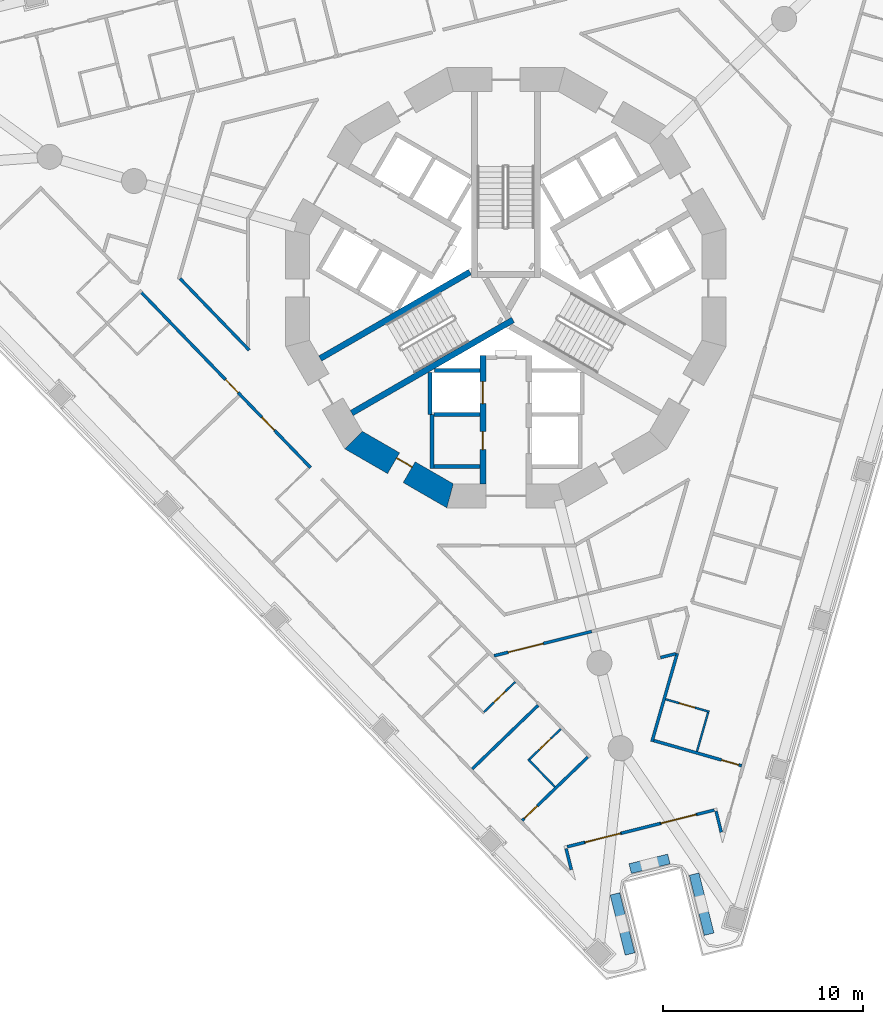
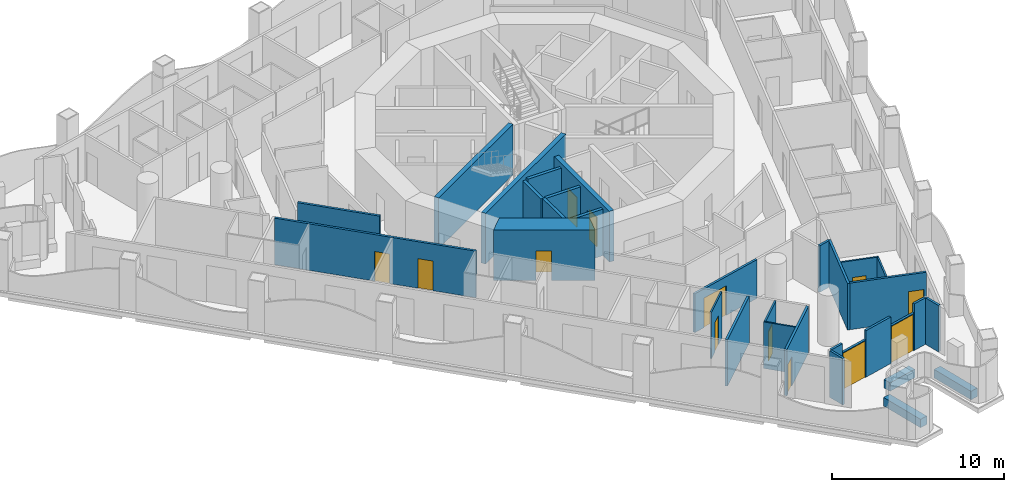
# One storey, part 3 of 18: 32 walls, 13 doors, 13 openings.
"""IFC4 building model written with IfcOpenShell, lengths in metres."""

from ifc_helpers import new_model, si_unit, direction, frame, frame_2d, origin, place, context, subcontext, project, spatial, polyline, rectangle, outline, extrude, material, layer, layer_set, type_object, element, fill, save


model = new_model("IFC4")

# Units and contexts
model_context = context("Model", 3, precision=1e-05, world=origin(), true_north=direction((0.0, 1.0)))
body_context = subcontext(model_context, "Body", "Model", "MODEL_VIEW")
ifc_project = project(units=[si_unit("LENGTHUNIT", "METRE"), si_unit("AREAUNIT", "SQUARE_METRE"), si_unit("VOLUMEUNIT", "CUBIC_METRE"), si_unit("PLANEANGLEUNIT", "RADIAN"), si_unit("MASSUNIT", "GRAM", prefix="KILO")], contexts=[model_context])

# Site, building, storey
site_placement = place(None, origin())
site = spatial("IfcSite", under=ifc_project, at=site_placement, CompositionType="ELEMENT")
building_placement = place(site_placement, origin())
building = spatial("IfcBuilding", under=site, at=building_placement, Name="Trine Commons Tower", CompositionType="ELEMENT")
storey_placement = place(building_placement, frame((0.0, 0.0, 90.89990234375)))
storey = spatial("IfcBuildingStorey", under=building, at=storey_placement, Name="L22", CompositionType="ELEMENT", Elevation=90.89990234375)

# Walls
ifc_material_1 = material(Name="Aluminium-framed insulated wall panel", Category="aluminium")
ifc_layer_1 = layer(ifc_material_1, 0.14990234375)
ifc_layer_set_1 = layer_set([ifc_layer_1], Name="Aluminium-framed insulated wall panel")
wall_type_1 = type_object("IfcWallType", Name="Glazed frame wall 150, EI 60", PredefinedType="SOLIDWALL", material=ifc_layer_set_1)
wall_1_placement = place(storey_placement, frame((90.810302734375, 35.118896484375, 0.0), z_axis=(0.0, 0.0, 1.0), x_axis=(-0.241937701072, 0.970291785393, 0.0)))
element("IfcWall", 1, at=wall_1_placement, inside=storey, type_object=wall_type_1, Name="Glazed frame wall R9", PredefinedType="SOLIDWALL", context=body_context, shape_type="SweptSolid", body=[
    extrude(outline(polyline([(0.1494140625, 0.074951171875), (0.1494140625, -0.074951171875), (1.235107421875, -0.074951171875), (1.235107421875, 0.074951171875), (0.1494140625, 0.074951171875)])), origin(), (0.0, 0.0, 1.0), 3.300048828125),
])
wall_2_placement = place(storey_placement, frame((90.527099609375, 36.398681640625, 0.0), z_axis=(0.0, 0.0, 1.0), x_axis=(-0.970285952705, -0.24196109188, 0.0)))
element("IfcWall", 2, at=wall_2_placement, inside=storey, type_object=wall_type_1, Name="Glazed frame wall P3.1", PredefinedType="SOLIDWALL", context=body_context, shape_type="SweptSolid", body=[
    extrude(outline(polyline([(0.110107421875, -0.074951171875), (1.0, -0.074951171875), (1.0, 0.074951171875), (0.110107421875, 0.074951171875), (0.110107421875, -0.074951171875)])), origin(), (0.0, 0.0, 1.0), 3.300048828125),
])

# Wall, opening, door
wall_3_placement = place(storey_placement, frame((89.556884765625, 36.15673828125, 0.0), z_axis=(0.0, 0.0, 1.0), x_axis=(-0.970285945114, -0.241961122321, 0.0)))
wall_3 = element("IfcWall", 3, at=wall_3_placement, inside=storey, type_object=wall_type_1, Name="Glazed frame wall P3.2", PredefinedType="SOLIDWALL", context=body_context, shape_type="SweptSolid", body=[
    extrude(outline(polyline([(0.0, -0.074951171875), (1.89990234375, -0.074951171875), (1.89990234375, 0.074951171875), (0.0, 0.074951171875), (0.0, -0.074951171875)])), origin(), (0.0, 0.0, 1.0), 2.650146484375),
])
opening_1_placement = place(wall_3_placement, frame((0.050048828125, 0.0, 0.0)))
opening_1 = element("IfcOpeningElement", 4, at=opening_1_placement, cuts=wall_3, Name="Opening BD-3P3-01", PredefinedType="OPENING", context=body_context, shape_type="SweptSolid", body=[
    extrude(rectangle(XDim=1.800048828125, YDim=2.60009765625, at=frame_2d((0.89990234375, 1.300048828125))), frame((0.0, 0.0849609375, 0.0), z_axis=(0.0, -1.0, 0.0), x_axis=(1.0, 0.0, 0.0)), (0.0, 0.0, 1.0), 0.169921875),
])
ifc_material_2 = material(Name="Anodised aluminium frame with double glazing", Category="aluminium")
door_type_1 = type_object("IfcDoorType", Name="Sliding loggia door 1800x2600", OperationType="SLIDING_TO_LEFT", PredefinedType="DOOR", material=ifc_material_2)
door_1_placement = place(opening_1_placement, origin())
door_1 = element("IfcDoor", 5, at=door_1_placement, inside=storey, type_object=door_type_1, Name="Loggia door P3 1", OperationType="SLIDING_TO_LEFT", OverallHeight=2.60009765625, OverallWidth=1.800048828125, PredefinedType="DOOR", context=body_context, shape_type="SweptSolid", body=[
    extrude(rectangle(XDim=1.800048828125, YDim=2.60009765625, at=frame_2d((0.89990234375, 1.300048828125))), frame((0.0, 0.02490234375, 0.0), z_axis=(0.0, -1.0, 0.0), x_axis=(1.0, 0.0, 0.0)), (0.0, 0.0, 1.0), 0.050048828125),
])
fill(opening_1, door_1)

# Wall
wall_4_placement = place(storey_placement, frame((87.71337890625, 35.697021484375, 0.0), z_axis=(0.0, 0.0, 1.0), x_axis=(-0.970293098586, -0.241932434444, 0.0)))
element("IfcWall", 6, at=wall_4_placement, inside=storey, type_object=wall_type_1, Name="Glazed frame wall P3.3", PredefinedType="SOLIDWALL", context=body_context, shape_type="SweptSolid", body=[
    extrude(outline(polyline([(0.0, -0.074951171875), (2.0, -0.074951171875), (2.0, 0.074951171875), (0.0, 0.074951171875), (0.0, -0.074951171875)])), origin(), (0.0, 0.0, 1.0), 3.300048828125),
])

# Wall, opening, door
wall_5_placement = place(storey_placement, frame((85.772705078125, 35.213134765625, 0.0), z_axis=(0.0, 0.0, 1.0), x_axis=(-0.970285945114, -0.241961122321, 0.0)))
wall_5 = element("IfcWall", 7, at=wall_5_placement, inside=storey, type_object=wall_type_1, Name="Glazed frame wall P3.4", PredefinedType="SOLIDWALL", context=body_context, shape_type="SweptSolid", body=[
    extrude(outline(polyline([(0.0, -0.074951171875), (1.89990234375, -0.074951171875), (1.89990234375, 0.074951171875), (0.0, 0.074951171875), (0.0, -0.074951171875)])), origin(), (0.0, 0.0, 1.0), 2.650146484375),
])
opening_2_placement = place(wall_5_placement, frame((0.050048828125, 0.0, 0.0)))
opening_2 = element("IfcOpeningElement", 8, at=opening_2_placement, cuts=wall_5, Name="Opening BD-3P3-02", PredefinedType="OPENING", context=body_context, shape_type="SweptSolid", body=[
    extrude(rectangle(XDim=1.800048828125, YDim=2.60009765625, at=frame_2d((0.89990234375, 1.300048828125))), frame((0.0, 0.0849609375, 0.0), z_axis=(0.0, -1.0, 0.0), x_axis=(1.0, 0.0, 0.0)), (0.0, 0.0, 1.0), 0.169921875),
])
door_2_placement = place(opening_2_placement, origin())
door_2 = element("IfcDoor", 9, at=door_2_placement, inside=storey, type_object=door_type_1, Name="Loggia door P3 2", OperationType="SLIDING_TO_LEFT", OverallHeight=2.60009765625, OverallWidth=1.800048828125, PredefinedType="DOOR", context=body_context, shape_type="SweptSolid", body=[
    extrude(rectangle(XDim=1.800048828125, YDim=2.60009765625, at=frame_2d((0.89990234375, 1.300048828125))), frame((0.0, 0.02490234375, 0.0), z_axis=(0.0, -1.0, 0.0), x_axis=(1.0, 0.0, 0.0)), (0.0, 0.0, 1.0), 0.050048828125),
])
fill(opening_2, door_2)

# Walls
wall_6_placement = place(storey_placement, frame((83.92919921875, 34.75341796875, 0.0), z_axis=(0.0, 0.0, 1.0), x_axis=(-0.970343250308, -0.241731207299, 0.0)))
element("IfcWall", 10, at=wall_6_placement, inside=storey, type_object=wall_type_1, Name="Glazed frame wall P3.5", PredefinedType="SOLIDWALL", context=body_context, shape_type="SweptSolid", body=[
    extrude(outline(polyline([(0.889892578125, 0.074951171875), (0.0, 0.074951171875), (0.0, -0.074951171875), (0.889892578125, -0.074951171875), (0.889892578125, 0.074951171875)])), origin(), (0.0, 0.0, 1.0), 3.300048828125),
])
wall_7_placement = place(storey_placement, frame((82.984375, 34.553955078125, 0.0), z_axis=(0.0, 0.0, 1.0), x_axis=(0.241980315181, -0.970281158771, 0.0)))
element("IfcWall", 11, at=wall_7_placement, inside=storey, type_object=wall_type_1, Name="Glazed frame wall R11", PredefinedType="SOLIDWALL", context=body_context, shape_type="SweptSolid", body=[
    extrude(outline(polyline([(0.110107421875, 0.074951171875), (0.110107421875, -0.074951171875), (1.19580078125, -0.074951171875), (1.19580078125, 0.074951171875), (0.110107421875, 0.074951171875)])), origin(), (0.0, 0.0, 1.0), 3.300048828125),
])
ifc_material_3 = material(Name="Planter trough, precast concrete C40/50", Category="concrete")
ifc_layer_2 = layer(ifc_material_3, 0.5)
ifc_layer_set_2 = layer_set([ifc_layer_2], Name="Planter trough, precast concrete C40/50")
wall_type_2 = type_object("IfcWallType", Name="Planter trough 500x600", PredefinedType="PARAPET", material=ifc_layer_set_2)
wall_8_placement = place(storey_placement, frame((90.16552734375, 30.160888671875, 0.0), z_axis=(0.0, 0.0, 1.0), x_axis=(-0.2419425832, 0.970290568044, 0.0)))
element("IfcWall", 12, at=wall_8_placement, inside=storey, type_object=wall_type_2, Name="Planter 7", PredefinedType="PARAPET", context=body_context, shape_type="SweptSolid", body=[
    extrude(rectangle(XDim=3.099853515625, YDim=0.5, at=frame_2d((1.5498046875, 0.0))), origin(), (0.0, 0.0, 1.0), 0.60009765625),
])
wall_9_placement = place(storey_placement, frame((88.15478515625, 33.92626953125, 0.0), z_axis=(0.0, 0.0, 1.0), x_axis=(-0.970285952705, -0.24196109188, 0.0)))
element("IfcWall", 13, at=wall_9_placement, inside=storey, type_object=wall_type_2, Name="Planter 8", PredefinedType="PARAPET", context=body_context, shape_type="SweptSolid", body=[
    extrude(rectangle(XDim=1.999755859375, YDim=0.5, at=frame_2d((1.0, 0.0))), origin(), (0.0, 0.0, 1.0), 0.60009765625),
])
wall_10_placement = place(storey_placement, frame((85.456787109375, 32.181640625, 0.0), z_axis=(0.0, 0.0, 1.0), x_axis=(0.2419425832, -0.970290568044, 0.0)))
element("IfcWall", 14, at=wall_10_placement, inside=storey, type_object=wall_type_2, Name="Planter 9", PredefinedType="PARAPET", context=body_context, shape_type="SweptSolid", body=[
    extrude(rectangle(XDim=3.099853515625, YDim=0.5, at=frame_2d((1.5498046875, 0.0))), origin(), (0.0, 0.0, 1.0), 0.60009765625),
])

# Wall, opening, door
ifc_material_4 = material(Name="Concrete C70/85", Category="concrete")
ifc_layer_3 = layer(ifc_material_4, 1.199951171875)
ifc_layer_set_3 = layer_set([ifc_layer_3], Name="Concrete C70/85")
wall_type_3 = type_object("IfcWallType", Name="RC shear wall 1200 mm, C70/85", PredefinedType="SHEAR", material=ifc_layer_set_3)
wall_11_placement = place(storey_placement, frame((72.239013671875, 54.95849609375, 0.0), z_axis=(0.0, 0.0, 1.0), x_axis=(0.866037463336, -0.499979111662, 0.0)))
wall_11 = element("IfcWall", 15, at=wall_11_placement, inside=storey, type_object=wall_type_3, Name="Core wall CWC-09 L22", PredefinedType="SHEAR", context=body_context, shape_type="SweptSolid", body=[
    extrude(outline(polyline([(0.0, -0.60009765625), (5.901123046875, -0.60009765625), (5.57958984375, 0.60009765625), (0.321533203125, 0.60009765625), (0.0, -0.60009765625)])), origin(), (0.0, 0.0, 1.0), 3.60009765625),
])
opening_3_placement = place(wall_11_placement, frame((2.4765625, 0.0, 0.0)))
opening_3 = element("IfcOpeningElement", 16, at=opening_3_placement, cuts=wall_11, Name="Opening K05.14", PredefinedType="OPENING", context=body_context, shape_type="SweptSolid", body=[
    extrude(rectangle(XDim=0.89990234375, YDim=2.10009765625, at=frame_2d((0.449951171875, 1.050048828125))), frame((0.0, 0.60986328125, 0.0), z_axis=(0.0, -1.0, 0.0), x_axis=(1.0, 0.0, 0.0)), (0.0, 0.0, 1.0), 1.219970703125),
])
ifc_material_5 = material(Name="Steel door leaf, fire-rated", Category="steel")
door_type_2 = type_object("IfcDoorType", Name="Core room door, single leaf 900 x 2100, FD30S", OperationType="SINGLE_SWING_LEFT", PredefinedType="DOOR", material=ifc_material_5)
door_3_placement = place(opening_3_placement, origin())
door_3 = element("IfcDoor", 17, at=door_3_placement, inside=storey, type_object=door_type_2, Name="Door to Parcel store L22", OperationType="SINGLE_SWING_LEFT", OverallHeight=2.10009765625, OverallWidth=0.89990234375, PredefinedType="DOOR", context=body_context, shape_type="SweptSolid", body=[
    extrude(rectangle(XDim=0.89990234375, YDim=2.10009765625, at=frame_2d((0.449951171875, 1.050048828125))), frame((0.0, 0.3251953125, 0.0), z_axis=(0.0, -1.0, 0.0), x_axis=(1.0, 0.0, 0.0)), (0.0, 0.0, 1.0), 0.050048828125),
])
fill(opening_3, door_3)

# Wall, openings, doors
ifc_layer_4 = layer(ifc_material_4, 0.300048828125)
ifc_layer_set_4 = layer_set([ifc_layer_4], Name="Concrete C70/85")
wall_type_4 = type_object("IfcWallType", Name="RC shear wall 300 mm, C70/85", PredefinedType="SHEAR", material=ifc_layer_set_4)
wall_12_placement = place(storey_placement, frame((78.85009765625, 59.10009765625, 0.0), z_axis=(0.0, 0.0, 1.0), x_axis=(0.0, -1.0, 0.0)))
wall_12 = element("IfcWall", 18, at=wall_12_placement, inside=storey, type_object=wall_type_4, Name="Core cross wall SWA-03 L22", PredefinedType="SHEAR", context=body_context, shape_type="SweptSolid", body=[
    extrude(rectangle(XDim=6.412109375, YDim=0.300048828125, at=frame_2d((3.2060546875, 0.0))), origin(), (0.0, 0.0, 1.0), 3.60009765625),
])
opening_4_placement = place(wall_12_placement, frame((3.800048828125, 0.0, 0.0)))
opening_4 = element("IfcOpeningElement", 19, at=opening_4_placement, cuts=wall_12, Name="Opening K05.10", PredefinedType="OPENING", context=body_context, shape_type="SweptSolid", body=[
    extrude(rectangle(XDim=0.89990234375, YDim=2.10009765625, at=frame_2d((0.449951171875, 1.050048828125))), frame((0.0, 0.159912109375, 0.0), z_axis=(0.0, -1.0, 0.0), x_axis=(1.0, 0.0, 0.0)), (0.0, 0.0, 1.0), 0.320068359375),
])
opening_5_placement = place(wall_12_placement, frame((1.300048828125, 0.0, 0.0)))
opening_5 = element("IfcOpeningElement", 20, at=opening_5_placement, cuts=wall_12, Name="Opening LD10", PredefinedType="OPENING", context=body_context, shape_type="SweptSolid", body=[
    extrude(rectangle(XDim=1.10009765625, YDim=2.10009765625, at=frame_2d((0.550048828125, 1.050048828125))), frame((0.0, 0.159912109375, 0.0), z_axis=(0.0, -1.0, 0.0), x_axis=(1.0, 0.0, 0.0)), (0.0, 0.0, 1.0), 0.320068359375),
])
door_4_placement = place(opening_4_placement, frame((0.89990234375, 0.0, 0.0), z_axis=(0.0, 0.0, 1.0), x_axis=(-1.0, 0.0, 0.0)))
door_4 = element("IfcDoor", 21, at=door_4_placement, inside=storey, type_object=door_type_2, Name="Door to Pantry L22", OperationType="SINGLE_SWING_RIGHT", OverallHeight=2.10009765625, OverallWidth=0.89990234375, PredefinedType="DOOR", context=body_context, shape_type="SweptSolid", body=[
    extrude(rectangle(XDim=0.89990234375, YDim=2.10009765625, at=frame_2d((0.449951171875, 1.050048828125))), frame((0.0, 0.02490234375, 0.0), z_axis=(0.0, -1.0, 0.0), x_axis=(1.0, 0.0, 0.0)), (0.0, 0.0, 1.0), 0.050048828125),
])
fill(opening_4, door_4)
ifc_material_6 = material(Name="Stainless steel sliding door leaves", Category="steel")
door_type_3 = type_object("IfcDoorType", Name="Lift landing door, centre-opening sliding 1100 x 2100, FD90", OperationType="DOUBLE_DOOR_SLIDING", PredefinedType="DOOR", material=ifc_material_6)
door_5_placement = place(opening_5_placement, origin())
door_5 = element("IfcDoor", 22, at=door_5_placement, inside=storey, type_object=door_type_3, Name="Lift landing door FF2 L22", OperationType="DOUBLE_DOOR_SLIDING", OverallHeight=2.10009765625, OverallWidth=1.10009765625, PredefinedType="DOOR", context=body_context, shape_type="SweptSolid", body=[
    extrude(rectangle(XDim=1.10009765625, YDim=2.10009765625, at=frame_2d((0.550048828125, 1.050048828125))), frame((0.0, 0.02490234375, 0.0), z_axis=(0.0, -1.0, 0.0), x_axis=(1.0, 0.0, 0.0)), (0.0, 0.0, 1.0), 0.050048828125),
])
fill(opening_5, door_5)

# Walls
wall_13_placement = place(storey_placement, frame((78.199951171875, 63.280029296875, 0.0), z_axis=(0.0, 0.0, 1.0), x_axis=(-0.865965399159, -0.500103916661, 0.0)))
element("IfcWall", 23, at=wall_13_placement, inside=storey, type_object=wall_type_4, Name="Core cross wall SWA-07 L22", PredefinedType="SHEAR", context=body_context, shape_type="SweptSolid", body=[
    extrude(rectangle(XDim=8.642333984375, YDim=0.300048828125, at=frame_2d((4.3212890625, 0.0))), origin(), (0.0, 0.0, 1.0), 3.60009765625),
])
wall_14_placement = place(storey_placement, frame((80.35400390625, 60.885986328125, 0.0), z_axis=(0.0, 0.0, 1.0), x_axis=(-0.865986456211, -0.50006745311, 0.0)))
element("IfcWall", 24, at=wall_14_placement, inside=storey, type_object=wall_type_4, Name="Core cross wall SWA-14 L22", PredefinedType="SHEAR", context=body_context, shape_type="SweptSolid", body=[
    extrude(rectangle(XDim=9.310791015625, YDim=0.300048828125, at=frame_2d((4.6552734375, 0.0))), origin(), (0.0, 0.0, 1.0), 3.60009765625),
])
ifc_material_7 = material(Name="Fire-rated gypsum shaft wall system")
ifc_layer_5 = layer(ifc_material_7, 0.199951171875)
ifc_layer_set_5 = layer_set([ifc_layer_5], Name="Fire-rated gypsum shaft wall system")
wall_type_5 = type_object("IfcWallType", Name="Shaft wall 200 mm, EI 120", PredefinedType="PARTITIONING", material=ifc_layer_set_5)
wall_15_placement = place(storey_placement, frame((76.199951171875, 58.256103515625, 0.0), z_axis=(0.0, 0.0, 1.0), x_axis=(0.0, -1.0, 0.0)))
element("IfcWall", 25, at=wall_15_placement, inside=storey, type_object=wall_type_5, Name="Shaft wall L22", PredefinedType="PARTITIONING", context=body_context, shape_type="SweptSolid", body=[
    extrude(rectangle(XDim=2.106201171875, YDim=0.199951171875, at=frame_2d((1.05322265625, 0.0))), origin(), (0.0, 0.0, 1.0), 3.300048828125),
])
wall_16_placement = place(storey_placement, frame((76.300048828125, 56.14990234375, 0.0), z_axis=(0.0, 0.0, 1.0), x_axis=(0.0, -1.0, 0.0)))
element("IfcWall", 26, at=wall_16_placement, inside=storey, type_object=wall_type_5, Name="Shaft wall L22", PredefinedType="PARTITIONING", context=body_context, shape_type="SweptSolid", body=[
    extrude(rectangle(XDim=2.699951171875, YDim=0.199951171875, at=frame_2d((1.35009765625, 0.0))), origin(), (0.0, 0.0, 1.0), 3.300048828125),
])
for number, where, z_axis, x_axis, name in (
    (27, (78.699951171875, 53.550048828125, 0.0), (0.0, 0.0, 1.0), (-1.0, 0.0, 0.0), "Shaft wall L22"),
    (28, (78.699951171875, 56.14990234375, 0.0), (0.0, 0.0, 1.0), (-1.0, 0.0, 0.0), "Shaft wall L22"),
):
    element("IfcWall", number, at=place(storey_placement, frame(where, z_axis=z_axis, x_axis=x_axis)), inside=storey, type_object=wall_type_5, Name=name, PredefinedType="PARTITIONING", context=body_context, shape_type="SweptSolid", body=[
        extrude(rectangle(XDim=2.300048828125, YDim=0.199951171875, at=frame_2d((1.14990234375, 0.0))), origin(), (0.0, 0.0, 1.0), 3.300048828125),
    ])
wall_17_placement = place(storey_placement, frame((78.699951171875, 58.35009765625, 0.0), z_axis=(0.0, 0.0, 1.0), x_axis=(-1.0, 0.0, 0.0)))
element("IfcWall", 29, at=wall_17_placement, inside=storey, type_object=wall_type_5, Name="Shaft wall L22", PredefinedType="PARTITIONING", context=body_context, shape_type="SweptSolid", body=[
    extrude(rectangle(XDim=2.264892578125, YDim=0.199951171875, at=frame_2d((1.13232421875, 0.0))), origin(), (0.0, 0.0, 1.0), 3.300048828125),
])

# Wall, openings, doors
ifc_material_8 = material(Name="Gypsum plasterboard on steel stud", Category="steel")
ifc_layer_6 = layer(ifc_material_8, 0.14990234375)
ifc_layer_set_6 = layer_set([ifc_layer_6], Name="Gypsum plasterboard on steel stud")
wall_type_6 = type_object("IfcWallType", Name="Unit and corridor wall 150 mm, EI 60", PredefinedType="PARTITIONING", material=ifc_layer_set_6)
wall_18_placement = place(storey_placement, frame((61.772216796875, 62.257080078125, 0.0), z_axis=(0.0, 0.0, 1.0), x_axis=(0.694667095858, -0.719331374217, 0.0)))
wall_18 = element("IfcWall", 30, at=wall_18_placement, inside=storey, type_object=wall_type_6, Name="Partition 019", PredefinedType="PARTITIONING", context=body_context, shape_type="SweptSolid", body=[
    extrude(rectangle(XDim=12.18505859375, YDim=0.14990234375, at=frame_2d((6.092529296875, 0.0))), origin(), (0.0, 0.0, 1.0), 3.300048828125),
])
opening_6_placement = place(wall_18_placement, frame((8.67138671875, 0.0, 0.0)))
opening_6 = element("IfcOpeningElement", 31, at=opening_6_placement, cuts=wall_18, Name="Opening D-3A26", PredefinedType="OPENING", context=body_context, shape_type="SweptSolid", body=[
    extrude(rectangle(XDim=0.89990234375, YDim=2.10009765625, at=frame_2d((0.449951171875, 1.050048828125))), frame((0.0, 0.0849609375, 0.0), z_axis=(0.0, -1.0, 0.0), x_axis=(1.0, 0.0, 0.0)), (0.0, 0.0, 1.0), 0.169921875),
])
opening_7_placement = place(wall_18_placement, frame((6.0546875, 0.0, 0.0)))
opening_7 = element("IfcOpeningElement", 32, at=opening_7_placement, cuts=wall_18, Name="Opening D-3A27", PredefinedType="OPENING", context=body_context, shape_type="SweptSolid", body=[
    extrude(rectangle(XDim=0.89990234375, YDim=2.10009765625, at=frame_2d((0.449951171875, 1.050048828125))), frame((0.0, 0.0849609375, 0.0), z_axis=(0.0, -1.0, 0.0), x_axis=(1.0, 0.0, 0.0)), (0.0, 0.0, 1.0), 0.169921875),
])
ifc_material_9 = material(Name="Timber fire door set", Category="wood")
door_type_4 = type_object("IfcDoorType", Name="Bedroom door 900 x 2100, FD30S", OperationType="NOTDEFINED", PredefinedType="DOOR", material=ifc_material_9)
door_6_placement = place(opening_6_placement, frame((0.89990234375, 0.0, 0.0), z_axis=(0.0, 0.0, 1.0), x_axis=(-1.0, 0.0, 0.0)))
door_6 = element("IfcDoor", 33, at=door_6_placement, inside=storey, type_object=door_type_4, Name="Door D-3A26", OperationType="SINGLE_SWING_LEFT", OverallHeight=2.10009765625, OverallWidth=0.89990234375, PredefinedType="DOOR", context=body_context, shape_type="SweptSolid", body=[
    extrude(rectangle(XDim=0.89990234375, YDim=2.10009765625, at=frame_2d((0.449951171875, 1.050048828125))), frame((0.0, 0.02490234375, 0.0), z_axis=(0.0, -1.0, 0.0), x_axis=(1.0, 0.0, 0.0)), (0.0, 0.0, 1.0), 0.050048828125),
])
fill(opening_6, door_6)
door_7_placement = place(opening_7_placement, frame((0.89990234375, 0.0, 0.0), z_axis=(0.0, 0.0, 1.0), x_axis=(-1.0, 0.0, 0.0)))
door_7 = element("IfcDoor", 34, at=door_7_placement, inside=storey, type_object=door_type_4, Name="Door D-3A27", OperationType="SINGLE_SWING_LEFT", OverallHeight=2.10009765625, OverallWidth=0.89990234375, PredefinedType="DOOR", context=body_context, shape_type="SweptSolid", body=[
    extrude(rectangle(XDim=0.89990234375, YDim=2.10009765625, at=frame_2d((0.449951171875, 1.050048828125))), frame((0.0, 0.02490234375, 0.0), z_axis=(0.0, -1.0, 0.0), x_axis=(1.0, 0.0, 0.0)), (0.0, 0.0, 1.0), 0.050048828125),
])
fill(opening_7, door_7)

# Walls
wall_19_placement = place(storey_placement, frame((63.710205078125, 62.948974609375, 0.0), z_axis=(0.0, 0.0, 1.0), x_axis=(0.694628677397, -0.719368473411, 0.0)))
element("IfcWall", 35, at=wall_19_placement, inside=storey, type_object=wall_type_6, Name="Partition 026", PredefinedType="PARTITIONING", context=body_context, shape_type="SweptSolid", body=[
    extrude(rectangle(XDim=4.9736328125, YDim=0.14990234375, at=frame_2d((2.48681640625, 0.0))), origin(), (0.0, 0.0, 1.0), 3.300048828125),
])
wall_20_placement = place(storey_placement, frame((78.31982421875, 38.430908203125, 0.0), z_axis=(0.0, 0.0, 1.0), x_axis=(0.719360056376, 0.694637394106, 0.0)))
element("IfcWall", 36, at=wall_20_placement, inside=storey, type_object=wall_type_6, Name="Partition 062", PredefinedType="PARTITIONING", context=body_context, shape_type="SweptSolid", body=[
    extrude(rectangle(XDim=4.572265625, YDim=0.14990234375, at=frame_2d((2.2861328125, 0.0))), origin(), (0.0, 0.0, 1.0), 3.300048828125),
])

# Wall, opening, door
wall_21_placement = place(storey_placement, frame((79.40869140625, 44.087158203125, 0.0), z_axis=(0.0, 0.0, 1.0), x_axis=(0.970285120957, 0.241964427241, 0.0)))
wall_21 = element("IfcWall", 37, at=wall_21_placement, inside=storey, type_object=wall_type_6, Name="Partition 065", PredefinedType="PARTITIONING", context=body_context, shape_type="SweptSolid", body=[
    extrude(rectangle(XDim=5.02880859375, YDim=0.14990234375, at=frame_2d((2.514404296875, 0.0))), origin(), (0.0, 0.0, 1.0), 2.75),
])
opening_8_placement = place(wall_21_placement, frame((0.735595703125, 0.0, 0.0)))
opening_8 = element("IfcOpeningElement", 38, at=opening_8_placement, cuts=wall_21, Name="Opening D-3A02", PredefinedType="OPENING", context=body_context, shape_type="SweptSolid", body=[
    extrude(rectangle(XDim=1.800048828125, YDim=2.10009765625, at=frame_2d((0.89990234375, 1.050048828125))), frame((0.0, 0.0849609375, 0.0), z_axis=(0.0, -1.0, 0.0), x_axis=(1.0, 0.0, 0.0)), (0.0, 0.0, 1.0), 0.169921875),
])
door_type_5 = type_object("IfcDoorType", Name="Cluster entrance door 1800 x 2100, double leaf, FD30S", OperationType="DOUBLE_DOOR_DOUBLE_SWING", PredefinedType="DOOR", material=ifc_material_9)
door_8_placement = place(opening_8_placement, frame((1.800048828125, 0.0, 0.0), z_axis=(0.0, 0.0, 1.0), x_axis=(-1.0, 0.0, 0.0)))
door_8 = element("IfcDoor", 39, at=door_8_placement, inside=storey, type_object=door_type_5, Name="Door D-3A02", OperationType="DOUBLE_DOOR_DOUBLE_SWING", OverallHeight=2.10009765625, OverallWidth=1.800048828125, PredefinedType="DOOR", context=body_context, shape_type="SweptSolid", body=[
    extrude(rectangle(XDim=1.800048828125, YDim=2.10009765625, at=frame_2d((0.89990234375, 1.050048828125))), frame((0.0, 0.02490234375, 0.0), z_axis=(0.0, -1.0, 0.0), x_axis=(1.0, 0.0, 0.0)), (0.0, 0.0, 1.0), 0.050048828125),
])
fill(opening_8, door_8)

wall_22_placement = place(storey_placement, frame((80.811767578125, 35.849853515625, 0.0), z_axis=(0.0, 0.0, 1.0), x_axis=(0.719385819916, 0.694610712632, 0.0)))
wall_22 = element("IfcWall", 40, at=wall_22_placement, inside=storey, type_object=wall_type_6, Name="Partition 067", PredefinedType="PARTITIONING", context=body_context, shape_type="SweptSolid", body=[
    extrude(rectangle(XDim=4.572265625, YDim=0.14990234375, at=frame_2d((2.2861328125, 0.0))), origin(), (0.0, 0.0, 1.0), 3.300048828125),
])
opening_9_placement = place(wall_22_placement, frame((0.14990234375, 0.0, 0.0)))
opening_9 = element("IfcOpeningElement", 41, at=opening_9_placement, cuts=wall_22, Name="Opening D-3A22", PredefinedType="OPENING", context=body_context, shape_type="SweptSolid", body=[
    extrude(rectangle(XDim=0.89990234375, YDim=2.10009765625, at=frame_2d((0.449951171875, 1.050048828125))), frame((0.0, 0.0849609375, 0.0), z_axis=(0.0, -1.0, 0.0), x_axis=(1.0, 0.0, 0.0)), (0.0, 0.0, 1.0), 0.169921875),
])
door_9_placement = place(opening_9_placement, origin())
door_9 = element("IfcDoor", 42, at=door_9_placement, inside=storey, type_object=door_type_4, Name="Door D-3A22", OperationType="SINGLE_SWING_LEFT", OverallHeight=2.10009765625, OverallWidth=0.89990234375, PredefinedType="DOOR", context=body_context, shape_type="SweptSolid", body=[
    extrude(rectangle(XDim=0.89990234375, YDim=2.10009765625, at=frame_2d((0.449951171875, 1.050048828125))), frame((0.0, 0.02490234375, 0.0), z_axis=(0.0, -1.0, 0.0), x_axis=(1.0, 0.0, 0.0)), (0.0, 0.0, 1.0), 0.050048828125),
])
fill(opening_9, door_9)

# Wall
wall_23_placement = place(storey_placement, frame((87.306396484375, 39.7958984375, 0.0), z_axis=(0.0, 0.0, 1.0), x_axis=(0.275592342239, 0.961274602234, 0.0)))
element("IfcWall", 43, at=wall_23_placement, inside=storey, type_object=wall_type_6, Name="Partition 085", PredefinedType="PARTITIONING", context=body_context, shape_type="SweptSolid", body=[
    extrude(rectangle(XDim=4.5888671875, YDim=0.14990234375, at=frame_2d((2.29443359375, 0.0))), origin(), (0.0, 0.0, 1.0), 3.300048828125),
])

# Wall, opening, door
wall_24_placement = place(storey_placement, frame((87.399169921875, 39.847412109375, 0.0), z_axis=(0.0, 0.0, 1.0), x_axis=(0.961251469363, -0.275673017626, 0.0)))
wall_24 = element("IfcWall", 44, at=wall_24_placement, inside=storey, type_object=wall_type_6, Name="Partition 086", PredefinedType="PARTITIONING", context=body_context, shape_type="SweptSolid", body=[
    extrude(rectangle(XDim=4.572509765625, YDim=0.14990234375, at=frame_2d((2.2861328125, 0.0))), origin(), (0.0, 0.0, 1.0), 3.300048828125),
])
opening_10_placement = place(wall_24_placement, frame((3.522705078125, 0.0, 0.0)))
opening_10 = element("IfcOpeningElement", 45, at=opening_10_placement, cuts=wall_24, Name="Opening D-3A21", PredefinedType="OPENING", context=body_context, shape_type="SweptSolid", body=[
    extrude(rectangle(XDim=0.89990234375, YDim=2.10009765625, at=frame_2d((0.449951171875, 1.050048828125))), frame((0.0, 0.0849609375, 0.0), z_axis=(0.0, -1.0, 0.0), x_axis=(1.0, 0.0, 0.0)), (0.0, 0.0, 1.0), 0.169921875),
])
door_10_placement = place(opening_10_placement, origin())
door_10 = element("IfcDoor", 46, at=door_10_placement, inside=storey, type_object=door_type_4, Name="Door D-3A21", OperationType="SINGLE_SWING_RIGHT", OverallHeight=2.10009765625, OverallWidth=0.89990234375, PredefinedType="DOOR", context=body_context, shape_type="SweptSolid", body=[
    extrude(rectangle(XDim=0.89990234375, YDim=2.10009765625, at=frame_2d((0.449951171875, 1.050048828125))), frame((0.0, 0.02490234375, 0.0), z_axis=(0.0, -1.0, 0.0), x_axis=(1.0, 0.0, 0.0)), (0.0, 0.0, 1.0), 0.050048828125),
])
fill(opening_10, door_10)

# Wall
wall_25_placement = place(storey_placement, frame((87.73388671875, 43.998291015625, 0.0), z_axis=(0.0, 0.0, 1.0), x_axis=(0.970342701531, 0.241733410155, 0.0)))
element("IfcWall", 47, at=wall_25_placement, inside=storey, type_object=wall_type_6, Name="Partition 087", PredefinedType="PARTITIONING", context=body_context, shape_type="SweptSolid", body=[
    extrude(rectangle(XDim=0.787841796875, YDim=0.14990234375, at=frame_2d((0.39404296875, 0.0))), origin(), (0.0, 0.0, 1.0), 3.300048828125),
])

# Wall, opening, door
ifc_layer_7 = layer(ifc_material_8, 0.10009765625)
ifc_layer_set_7 = layer_set([ifc_layer_7], Name="Gypsum plasterboard on steel stud")
wall_type_7 = type_object("IfcWallType", Name="Unit partition 100 mm, no rating", PredefinedType="PARTITIONING", material=ifc_layer_set_7)
wall_26_placement = place(storey_placement, frame((78.906005859375, 41.274658203125, 0.0), z_axis=(0.0, 0.0, 1.0), x_axis=(0.719343447932, 0.694654593245, 0.0)))
wall_26 = element("IfcWall", 48, at=wall_26_placement, inside=storey, type_object=wall_type_7, Name="Partition 064", PredefinedType="PARTITIONING", context=body_context, shape_type="SweptSolid", body=[
    extrude(rectangle(XDim=2.175537109375, YDim=0.10009765625, at=frame_2d((1.087890625, 0.0))), origin(), (0.0, 0.0, 1.0), 3.300048828125),
])
opening_11_placement = place(wall_26_placement, frame((0.687744140625, 0.0, 0.0)))
opening_11 = element("IfcOpeningElement", 49, at=opening_11_placement, cuts=wall_26, Name="Opening D-3A52", PredefinedType="OPENING", context=body_context, shape_type="SweptSolid", body=[
    extrude(rectangle(XDim=0.800048828125, YDim=2.10009765625, at=frame_2d((0.39990234375, 1.050048828125))), frame((0.0, 0.06005859375, 0.0), z_axis=(0.0, -1.0, 0.0), x_axis=(1.0, 0.0, 0.0)), (0.0, 0.0, 1.0), 0.1201171875),
])
ifc_material_10 = material(Name="Painted timber", Category="wood")
door_type_6 = type_object("IfcDoorType", Name="Internal door 800 x 2100, NOT RATED", OperationType="NOTDEFINED", PredefinedType="DOOR", material=ifc_material_10)
door_11_placement = place(opening_11_placement, frame((0.800048828125, 0.0, 0.0), z_axis=(0.0, 0.0, 1.0), x_axis=(-1.0, 0.0, 0.0)))
door_11 = element("IfcDoor", 50, at=door_11_placement, inside=storey, type_object=door_type_6, Name="Door D-3A52", OperationType="SINGLE_SWING_RIGHT", OverallHeight=2.10009765625, OverallWidth=0.800048828125, PredefinedType="DOOR", context=body_context, shape_type="SweptSolid", body=[
    extrude(rectangle(XDim=0.800048828125, YDim=2.10009765625, at=frame_2d((0.39990234375, 1.050048828125))), frame((0.0, 0.02490234375, 0.0), z_axis=(0.0, -1.0, 0.0), x_axis=(1.0, 0.0, 0.0)), (0.0, 0.0, 1.0), 0.050048828125),
])
fill(opening_11, door_11)

# Wall
wall_27_placement = place(storey_placement, frame((81.111328125, 38.9189453125, 0.0), z_axis=(0.0, 0.0, 1.0), x_axis=(0.694700856484, -0.719298769636, 0.0)))
element("IfcWall", 51, at=wall_27_placement, inside=storey, type_object=wall_type_7, Name="Partition 069", PredefinedType="PARTITIONING", context=body_context, shape_type="SweptSolid", body=[
    extrude(rectangle(XDim=1.925537109375, YDim=0.10009765625, at=frame_2d((0.962890625, 0.0))), origin(), (0.0, 0.0, 1.0), 3.300048828125),
])

# Wall, opening, door
wall_28_placement = place(storey_placement, frame((81.181884765625, 38.917724609375, 0.0), z_axis=(0.0, 0.0, 1.0), x_axis=(0.719397593573, 0.69459851883, 0.0)))
wall_28 = element("IfcWall", 52, at=wall_28_placement, inside=storey, type_object=wall_type_7, Name="Partition 070", PredefinedType="PARTITIONING", context=body_context, shape_type="SweptSolid", body=[
    extrude(rectangle(XDim=2.17578125, YDim=0.10009765625, at=frame_2d((1.087890625, 0.0))), origin(), (0.0, 0.0, 1.0), 3.300048828125),
])
opening_12_placement = place(wall_28_placement, frame((0.687744140625, 0.0, 0.0)))
opening_12 = element("IfcOpeningElement", 53, at=opening_12_placement, cuts=wall_28, Name="Opening D-3A51", PredefinedType="OPENING", context=body_context, shape_type="SweptSolid", body=[
    extrude(rectangle(XDim=0.800048828125, YDim=2.10009765625, at=frame_2d((0.39990234375, 1.050048828125))), frame((0.0, 0.06005859375, 0.0), z_axis=(0.0, -1.0, 0.0), x_axis=(1.0, 0.0, 0.0)), (0.0, 0.0, 1.0), 0.1201171875),
])
door_12_placement = place(opening_12_placement, origin())
door_12 = element("IfcDoor", 54, at=door_12_placement, inside=storey, type_object=door_type_6, Name="Door D-3A51", OperationType="SINGLE_SWING_LEFT", OverallHeight=2.10009765625, OverallWidth=0.800048828125, PredefinedType="DOOR", context=body_context, shape_type="SweptSolid", body=[
    extrude(rectangle(XDim=0.800048828125, YDim=2.10009765625, at=frame_2d((0.39990234375, 1.050048828125))), frame((0.0, 0.02490234375, 0.0), z_axis=(0.0, -1.0, 0.0), x_axis=(1.0, 0.0, 0.0)), (0.0, 0.0, 1.0), 0.050048828125),
])
fill(opening_12, door_12)

wall_29_placement = place(storey_placement, frame((87.9912109375, 41.914306640625, 0.0), z_axis=(0.0, 0.0, 1.0), x_axis=(0.961244019441, -0.27569899363, 0.0)))
wall_29 = element("IfcWall", 55, at=wall_29_placement, inside=storey, type_object=wall_type_7, Name="Partition 090", PredefinedType="PARTITIONING", context=body_context, shape_type="SweptSolid", body=[
    extrude(rectangle(XDim=2.27490234375, YDim=0.10009765625, at=frame_2d((1.137451171875, 0.0))), origin(), (0.0, 0.0, 1.0), 3.300048828125),
])
opening_13_placement = place(wall_29_placement, frame((0.71240234375, 0.0, 0.0)))
opening_13 = element("IfcOpeningElement", 56, at=opening_13_placement, cuts=wall_29, Name="Opening D-3A50", PredefinedType="OPENING", context=body_context, shape_type="SweptSolid", body=[
    extrude(rectangle(XDim=0.800048828125, YDim=2.10009765625, at=frame_2d((0.39990234375, 1.050048828125))), frame((0.0, 0.06005859375, 0.0), z_axis=(0.0, -1.0, 0.0), x_axis=(1.0, 0.0, 0.0)), (0.0, 0.0, 1.0), 0.1201171875),
])
door_13_placement = place(opening_13_placement, origin())
door_13 = element("IfcDoor", 57, at=door_13_placement, inside=storey, type_object=door_type_6, Name="Door D-3A50", OperationType="SINGLE_SWING_LEFT", OverallHeight=2.10009765625, OverallWidth=0.800048828125, PredefinedType="DOOR", context=body_context, shape_type="SweptSolid", body=[
    extrude(rectangle(XDim=0.800048828125, YDim=2.10009765625, at=frame_2d((0.39990234375, 1.050048828125))), frame((0.0, 0.02490234375, 0.0), z_axis=(0.0, -1.0, 0.0), x_axis=(1.0, 0.0, 0.0)), (0.0, 0.0, 1.0), 0.050048828125),
])
fill(opening_13, door_13)

# Wall
wall_30_placement = place(storey_placement, frame((89.55859375, 39.30615234375, 0.0), z_axis=(0.0, 0.0, 1.0), x_axis=(0.275357985943, 0.96134176003, 0.0)))
element("IfcWall", 58, at=wall_30_placement, inside=storey, type_object=wall_type_7, Name="Partition 101", PredefinedType="PARTITIONING", context=body_context, shape_type="SweptSolid", body=[
    extrude(rectangle(XDim=2.025146484375, YDim=0.10009765625, at=frame_2d((1.0126953125, 0.0))), origin(), (0.0, 0.0, 1.0), 3.300048828125),
])

save(model, "model.ifc")
